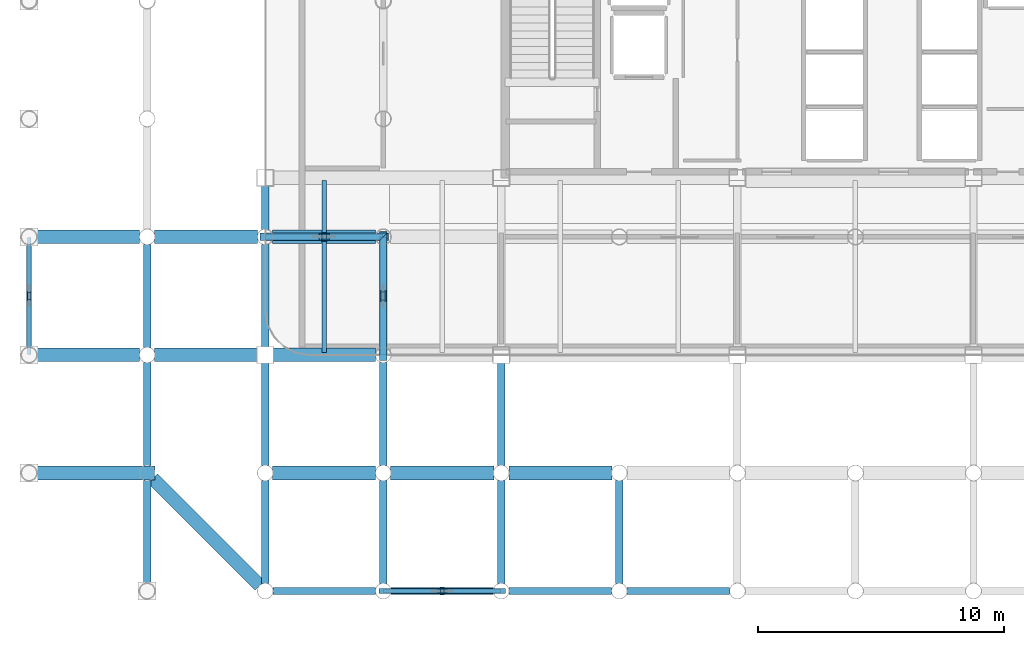
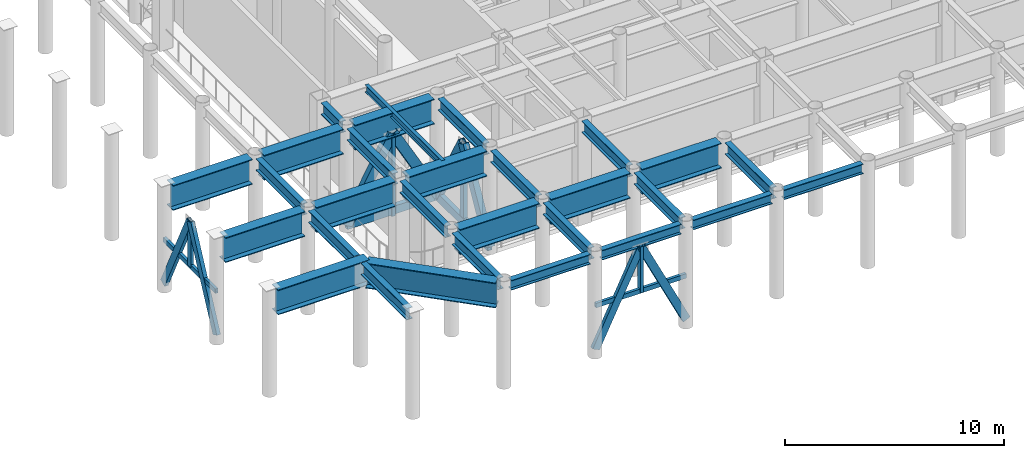
# One storey, part 5 of 20: 29 beams, 16 members.
"""IFC4 building model written with IfcOpenShell, lengths in metres."""

from ifc_helpers import new_model, si_unit, direction, frame, origin, origin_2d, place, context, subcontext, project, spatial, hollow_rectangle, i_section, extrude, material, material_profile, profile_set, type_object, element, save


model = new_model("IFC4")

# Units and contexts
model_context = context("Model", 3, precision=1e-05, world=origin(), true_north=direction((0.0, 1.0)))
body_context = subcontext(model_context, "Body", "Model", "MODEL_VIEW")
ifc_project = project(units=[si_unit("LENGTHUNIT", "METRE"), si_unit("AREAUNIT", "SQUARE_METRE"), si_unit("VOLUMEUNIT", "CUBIC_METRE"), si_unit("PLANEANGLEUNIT", "RADIAN"), si_unit("MASSUNIT", "GRAM", prefix="KILO")], contexts=[model_context])

# Site, building, storey
site_placement = place(None, origin())
site = spatial("IfcSite", under=ifc_project, at=site_placement, CompositionType="ELEMENT")
building_placement = place(site_placement, origin())
building = spatial("IfcBuilding", under=site, at=building_placement, Name="Kallvorn Hotel Tower", CompositionType="ELEMENT")
storey_placement = place(building_placement, frame((0.0, 0.0, 185.5)))
storey = spatial("IfcBuildingStorey", under=building, at=storey_placement, Name="L46", CompositionType="ELEMENT", Elevation=185.5)

# Beams
ifc_material_1 = material(Name="Structural steel S355JR", Category="steel")
ifc_material_profile_1 = material_profile(ifc_material_1, i_section(OverallWidth=0.300048828125, OverallDepth=0.550048828125, WebThickness=0.014892578125, FlangeThickness=0.029052734375, at=origin_2d()), Name="HE 550 B")
ifc_profile_set_1 = profile_set([ifc_material_profile_1], Name="Structural steel S355JR")
beam_type_1 = type_object("IfcBeamType", Name="BM_HE550B", PredefinedType="SPANDREL", material=ifc_profile_set_1)
for number, where, z_axis, x_axis, name in (
    (1, (-23.679931640625, -24.0, 5.544921875), (1.0, 0.0, 0.0), (0.0, 1.0, 0.0), "L47 Perimeter Spandrel 160"),
    (2, (-18.8798828125, -24.0, 5.544921875), (1.0, 0.0, 0.0), (0.0, 1.0, 0.0), "L47 Perimeter Spandrel 161"),
):
    element("IfcBeam", number, at=place(storey_placement, frame(where, z_axis=z_axis, x_axis=x_axis)), inside=storey, type_object=beam_type_1, Name=name, PredefinedType="SPANDREL", context=body_context, shape_type="SweptSolid", body=[
        extrude(i_section(OverallWidth=0.300048828125, OverallDepth=0.550048828125, WebThickness=0.014892578125, FlangeThickness=0.029052734375, at=origin_2d()), origin(), (0.0, 0.0, 1.0), 4.159912109375),
    ])
beam_1_placement = place(storey_placement, frame((-14.080078125, -24.0, 5.544921875), z_axis=(1.0, 0.0, 0.0), x_axis=(0.0, 1.0, 0.0)))
element("IfcBeam", 3, at=beam_1_placement, inside=storey, type_object=beam_type_1, Name="L47 Perimeter Spandrel 162", PredefinedType="SPANDREL", context=body_context, shape_type="SweptSolid", body=[
    extrude(i_section(OverallWidth=0.300048828125, OverallDepth=0.550048828125, WebThickness=0.014892578125, FlangeThickness=0.029052734375, at=origin_2d()), origin(), (0.0, 0.0, 1.0), 4.16015625),
])
beam_2_placement = place(storey_placement, frame((-9.280029296875, -24.0, 5.544921875), z_axis=(1.0, 0.0, 0.0), x_axis=(0.0, 1.0, 0.0)))
element("IfcBeam", 4, at=beam_2_placement, inside=storey, type_object=beam_type_1, Name="L47 Perimeter Spandrel 163", PredefinedType="SPANDREL", context=body_context, shape_type="SweptSolid", body=[
    extrude(i_section(OverallWidth=0.300048828125, OverallDepth=0.550048828125, WebThickness=0.014892578125, FlangeThickness=0.029052734375, at=origin_2d()), origin(), (0.0, 0.0, 1.0), 4.159912109375),
])
ifc_material_2 = material(Name="Structural steel S355JR", Category="steel")
ifc_material_profile_2 = material_profile(ifc_material_2, i_section(OverallWidth=0.300048828125, OverallDepth=0.64990234375, WebThickness=0.01611328125, FlangeThickness=0.031005859375, at=origin_2d()), Name="HE 650 B")
ifc_profile_set_2 = profile_set([ifc_material_profile_2], Name="Structural steel S355JR")
beam_type_2 = type_object("IfcBeamType", Name="BM_HE650B", PredefinedType="BEAM", material=ifc_profile_set_2)
beam_3_placement = place(storey_placement, frame((-28.800048828125, -23.695068359375, 5.4951171875), z_axis=(0.0, 1.0, 0.0), x_axis=(-1.0, 0.0, 0.0)))
element("IfcBeam", 5, at=beam_3_placement, inside=storey, type_object=beam_type_2, Name="L47 Primary Y-Girder 82", PredefinedType="BEAM", context=body_context, shape_type="SweptSolid", body=[
    extrude(i_section(OverallWidth=0.300048828125, OverallDepth=0.64990234375, WebThickness=0.01611328125, FlangeThickness=0.031005859375, at=origin_2d()), origin(), (0.0, 0.0, 1.0), 4.190185546875),
])
for number, where, z_axis, x_axis, name in (
    (6, (-28.800048828125, -18.89501953125, 5.4951171875), (0.0, 1.0, 0.0), (-1.0, 0.0, 0.0), "L47 Primary Y-Girder 83"),
    (7, (-28.800048828125, -14.094970703125, 5.4951171875), (0.0, 1.0, 0.0), (-1.0, 0.0, 0.0), "L47 Primary Y-Girder 84"),
):
    element("IfcBeam", number, at=place(storey_placement, frame(where, z_axis=z_axis, x_axis=x_axis)), inside=storey, type_object=beam_type_2, Name=name, PredefinedType="BEAM", context=body_context, shape_type="SweptSolid", body=[
        extrude(i_section(OverallWidth=0.300048828125, OverallDepth=0.64990234375, WebThickness=0.01611328125, FlangeThickness=0.031005859375, at=origin_2d()), origin(), (0.0, 0.0, 1.0), 4.18994140625),
    ])
beam_4_placement = place(storey_placement, frame((-24.0, -23.695068359375, 5.4951171875), z_axis=(0.0, 1.0, 0.0), x_axis=(-1.0, 0.0, 0.0)))
element("IfcBeam", 8, at=beam_4_placement, inside=storey, type_object=beam_type_2, Name="L47 Primary Y-Girder 91", PredefinedType="BEAM", context=body_context, shape_type="SweptSolid", body=[
    extrude(i_section(OverallWidth=0.300048828125, OverallDepth=0.64990234375, WebThickness=0.01611328125, FlangeThickness=0.031005859375, at=origin_2d()), origin(), (0.0, 0.0, 1.0), 4.190185546875),
])
for number, where, z_axis, x_axis, name in (
    (9, (-24.0, -18.89501953125, 5.4951171875), (0.0, 1.0, 0.0), (-1.0, 0.0, 0.0), "L47 Primary Y-Girder 92"),
    (10, (-24.0, -14.074951171875, 5.4951171875), (0.0, 1.0, 0.0), (-1.0, 0.0, 0.0), "L47 Primary Y-Girder 93"),
):
    element("IfcBeam", number, at=place(storey_placement, frame(where, z_axis=z_axis, x_axis=x_axis)), inside=storey, type_object=beam_type_2, Name=name, PredefinedType="BEAM", context=body_context, shape_type="SweptSolid", body=[
        extrude(i_section(OverallWidth=0.300048828125, OverallDepth=0.64990234375, WebThickness=0.01611328125, FlangeThickness=0.031005859375, at=origin_2d()), origin(), (0.0, 0.0, 1.0), 4.169921875),
    ])
beam_5_placement = place(storey_placement, frame((-24.0, -9.294921875, 5.4951171875), z_axis=(0.0, 1.0, 0.0), x_axis=(-1.0, 0.0, 0.0)))
element("IfcBeam", 11, at=beam_5_placement, inside=storey, type_object=beam_type_2, Name="L47 Primary Y-Girder 94", PredefinedType="BEAM", context=body_context, shape_type="SweptSolid", body=[
    extrude(i_section(OverallWidth=0.300048828125, OverallDepth=0.64990234375, WebThickness=0.01611328125, FlangeThickness=0.031005859375, at=origin_2d()), origin(), (0.0, 0.0, 1.0), 1.77001953125),
])
beam_6_placement = place(storey_placement, frame((-19.199951171875, -23.695068359375, 5.4951171875), z_axis=(0.0, 1.0, 0.0), x_axis=(-1.0, 0.0, 0.0)))
element("IfcBeam", 12, at=beam_6_placement, inside=storey, type_object=beam_type_2, Name="L47 Primary Y-Girder 98", PredefinedType="BEAM", context=body_context, shape_type="SweptSolid", body=[
    extrude(i_section(OverallWidth=0.300048828125, OverallDepth=0.64990234375, WebThickness=0.01611328125, FlangeThickness=0.031005859375, at=origin_2d()), origin(), (0.0, 0.0, 1.0), 4.190185546875),
])
for number, where, z_axis, x_axis, name in (
    (13, (-19.199951171875, -18.89501953125, 5.4951171875), (0.0, 1.0, 0.0), (-1.0, 0.0, 0.0), "L47 Primary Y-Girder 99"),
    (14, (-19.199951171875, -14.094970703125, 5.4951171875), (0.0, 1.0, 0.0), (-1.0, 0.0, 0.0), "L47 Primary Y-Girder 100"),
):
    element("IfcBeam", number, at=place(storey_placement, frame(where, z_axis=z_axis, x_axis=x_axis)), inside=storey, type_object=beam_type_2, Name=name, PredefinedType="BEAM", context=body_context, shape_type="SweptSolid", body=[
        extrude(i_section(OverallWidth=0.300048828125, OverallDepth=0.64990234375, WebThickness=0.01611328125, FlangeThickness=0.031005859375, at=origin_2d()), origin(), (0.0, 0.0, 1.0), 4.18994140625),
    ])
beam_7_placement = place(storey_placement, frame((-14.39990234375, -23.695068359375, 5.4951171875), z_axis=(0.0, 1.0, 0.0), x_axis=(-1.0, 0.0, 0.0)))
element("IfcBeam", 15, at=beam_7_placement, inside=storey, type_object=beam_type_2, Name="L47 Primary Y-Girder 107", PredefinedType="BEAM", context=body_context, shape_type="SweptSolid", body=[
    extrude(i_section(OverallWidth=0.300048828125, OverallDepth=0.64990234375, WebThickness=0.01611328125, FlangeThickness=0.031005859375, at=origin_2d()), origin(), (0.0, 0.0, 1.0), 4.190185546875),
])
beam_8_placement = place(storey_placement, frame((-14.39990234375, -18.89501953125, 5.4951171875), z_axis=(0.0, 1.0, 0.0), x_axis=(-1.0, 0.0, 0.0)))
element("IfcBeam", 16, at=beam_8_placement, inside=storey, type_object=beam_type_2, Name="L47 Primary Y-Girder 108", PredefinedType="BEAM", context=body_context, shape_type="SweptSolid", body=[
    extrude(i_section(OverallWidth=0.300048828125, OverallDepth=0.64990234375, WebThickness=0.01611328125, FlangeThickness=0.031005859375, at=origin_2d()), origin(), (0.0, 0.0, 1.0), 4.169921875),
])
beam_9_placement = place(storey_placement, frame((-9.60009765625, -23.695068359375, 5.4951171875), z_axis=(0.0, 1.0, 0.0), x_axis=(-1.0, 0.0, 0.0)))
element("IfcBeam", 17, at=beam_9_placement, inside=storey, type_object=beam_type_2, Name="L47 Primary Y-Girder 112", PredefinedType="BEAM", context=body_context, shape_type="SweptSolid", body=[
    extrude(i_section(OverallWidth=0.300048828125, OverallDepth=0.64990234375, WebThickness=0.01611328125, FlangeThickness=0.031005859375, at=origin_2d()), origin(), (0.0, 0.0, 1.0), 4.190185546875),
])
ifc_material_3 = material(Name="Structural steel S355JR", Category="steel")
ifc_material_profile_3 = material_profile(ifc_material_3, i_section(OverallWidth=0.179931640625, OverallDepth=0.39990234375, WebThickness=0.008544921875, FlangeThickness=0.013427734375, at=origin_2d()), Name="IPE 400")
ifc_profile_set_3 = profile_set([ifc_material_profile_3], Name="Structural steel S355JR")
beam_type_3 = type_object("IfcBeamType", Name="BM_IPE400", PredefinedType="JOIST", material=ifc_profile_set_3)
beam_10_placement = place(storey_placement, frame((-21.60009765625, -14.300048828125, 5.6201171875), z_axis=(0.0, 1.0, 0.0), x_axis=(-1.0, 0.0, 0.0)))
element("IfcBeam", 18, at=beam_10_placement, inside=storey, type_object=beam_type_3, Name="L47 Secondary Composite Joist 201", PredefinedType="JOIST", context=body_context, shape_type="SweptSolid", body=[
    extrude(i_section(OverallWidth=0.179931640625, OverallDepth=0.39990234375, WebThickness=0.008544921875, FlangeThickness=0.013427734375, at=origin_2d()), origin(), (0.0, 0.0, 1.0), 7.0),
])
ifc_material_4 = material(Name="Structural steel S355JR", Category="steel")
ifc_material_profile_4 = material_profile(ifc_material_4, i_section(OverallWidth=0.550048828125, OverallDepth=1.39990234375, WebThickness=0.02490234375, FlangeThickness=0.044921875, at=origin_2d()), Name="PG 1400x550x25x45")
ifc_profile_set_4 = profile_set([ifc_material_profile_4], Name="Structural steel S355JR")
beam_type_4 = type_object("IfcBeamType", Name="BM_PG_1400", PredefinedType="BEAM", material=ifc_profile_set_4)
beam_11_placement = place(storey_placement, frame((-33.294921875, -19.199951171875, 5.1201171875), z_axis=(1.0, 0.0, 0.0), x_axis=(0.0, 1.0, 0.0)))
element("IfcBeam", 19, at=beam_11_placement, inside=storey, type_object=beam_type_4, Name="L47 Primary X-Girder 10", PredefinedType="BEAM", context=body_context, shape_type="SweptSolid", body=[
    extrude(i_section(OverallWidth=0.550048828125, OverallDepth=1.39990234375, WebThickness=0.02490234375, FlangeThickness=0.044921875, at=origin_2d()), origin(), (0.0, 0.0, 1.0), 4.81494140625),
])
beam_12_placement = place(storey_placement, frame((-23.695068359375, -19.199951171875, 5.1201171875), z_axis=(1.0, 0.0, 0.0), x_axis=(0.0, 1.0, 0.0)))
element("IfcBeam", 20, at=beam_12_placement, inside=storey, type_object=beam_type_4, Name="L47 Primary X-Girder 12", PredefinedType="BEAM", context=body_context, shape_type="SweptSolid", body=[
    extrude(i_section(OverallWidth=0.550048828125, OverallDepth=1.39990234375, WebThickness=0.02490234375, FlangeThickness=0.044921875, at=origin_2d()), origin(), (0.0, 0.0, 1.0), 4.190185546875),
])
for number, where, z_axis, x_axis, name in (
    (21, (-18.89501953125, -19.199951171875, 5.1201171875), (1.0, 0.0, 0.0), (0.0, 1.0, 0.0), "L47 Primary X-Girder 13"),
    (22, (-14.094970703125, -19.199951171875, 5.1201171875), (1.0, 0.0, 0.0), (0.0, 1.0, 0.0), "L47 Primary X-Girder 14"),
    (23, (-33.294921875, -14.39990234375, 5.1201171875), (1.0, 0.0, 0.0), (0.0, 1.0, 0.0), "L47 Primary X-Girder 23"),
):
    element("IfcBeam", number, at=place(storey_placement, frame(where, z_axis=z_axis, x_axis=x_axis)), inside=storey, type_object=beam_type_4, Name=name, PredefinedType="BEAM", context=body_context, shape_type="SweptSolid", body=[
        extrude(i_section(OverallWidth=0.550048828125, OverallDepth=1.39990234375, WebThickness=0.02490234375, FlangeThickness=0.044921875, at=origin_2d()), origin(), (0.0, 0.0, 1.0), 4.18994140625),
    ])
for number, where, z_axis, x_axis, name in (
    (24, (-28.4951171875, -14.39990234375, 5.1201171875), (1.0, 0.0, 0.0), (0.0, 1.0, 0.0), "L47 Primary X-Girder 24"),
    (25, (-23.675048828125, -14.39990234375, 5.1201171875), (1.0, 0.0, 0.0), (0.0, 1.0, 0.0), "L47 Primary X-Girder 25"),
):
    element("IfcBeam", number, at=place(storey_placement, frame(where, z_axis=z_axis, x_axis=x_axis)), inside=storey, type_object=beam_type_4, Name=name, PredefinedType="BEAM", context=body_context, shape_type="SweptSolid", body=[
        extrude(i_section(OverallWidth=0.550048828125, OverallDepth=1.39990234375, WebThickness=0.02490234375, FlangeThickness=0.044921875, at=origin_2d()), origin(), (0.0, 0.0, 1.0), 4.170166015625),
    ])
beam_13_placement = place(storey_placement, frame((-33.294921875, -9.60009765625, 5.1201171875), z_axis=(1.0, 0.0, 0.0), x_axis=(0.0, 1.0, 0.0)))
element("IfcBeam", 26, at=beam_13_placement, inside=storey, type_object=beam_type_4, Name="L47 Primary X-Girder 33", PredefinedType="BEAM", context=body_context, shape_type="SweptSolid", body=[
    extrude(i_section(OverallWidth=0.550048828125, OverallDepth=1.39990234375, WebThickness=0.02490234375, FlangeThickness=0.044921875, at=origin_2d()), origin(), (0.0, 0.0, 1.0), 4.18994140625),
])
for number, where, z_axis, x_axis, name in (
    (27, (-28.4951171875, -9.60009765625, 5.1201171875), (1.0, 0.0, 0.0), (0.0, 1.0, 0.0), "L47 Primary X-Girder 34"),
    (28, (-23.695068359375, -9.60009765625, 5.1201171875), (1.0, 0.0, 0.0), (0.0, 1.0, 0.0), "L47 Primary X-Girder 35"),
):
    element("IfcBeam", number, at=place(storey_placement, frame(where, z_axis=z_axis, x_axis=x_axis)), inside=storey, type_object=beam_type_4, Name=name, PredefinedType="BEAM", context=body_context, shape_type="SweptSolid", body=[
        extrude(i_section(OverallWidth=0.550048828125, OverallDepth=1.39990234375, WebThickness=0.02490234375, FlangeThickness=0.044921875, at=origin_2d()), origin(), (0.0, 0.0, 1.0), 4.190185546875),
    ])
beam_14_placement = place(storey_placement, frame((-28.57373046875, -19.42626953125, 5.1201171875), z_axis=(0.707106781187, -0.707106781187, 0.0), x_axis=(0.707106781187, 0.707106781187, 0.0)))
element("IfcBeam", 29, at=beam_14_placement, inside=storey, type_object=beam_type_4, Name="L47 Rounded Corner Tie Beam 198", PredefinedType="BEAM", context=body_context, shape_type="SweptSolid", body=[
    extrude(i_section(OverallWidth=0.550048828125, OverallDepth=1.39990234375, WebThickness=0.02490234375, FlangeThickness=0.044921875, at=origin_2d()), origin(), (0.0, 0.0, 1.0), 6.148193359375),
])

# Members
ifc_material_5 = material(Name="Structural steel S355J2H", Category="steel")
ifc_material_profile_5 = material_profile(ifc_material_5, hollow_rectangle(XDim=0.199951171875, YDim=0.39990234375, WallThickness=0.02001953125, at=origin_2d()), Name="RHS 400x200x20")
ifc_profile_set_5 = profile_set([ifc_material_profile_5], Name="Structural steel S355J2H")
member_type_1 = type_object("IfcMemberType", Name="MBR_BELT_RHS400", PredefinedType="BRACE", material=ifc_profile_set_5)
member_1_placement = place(storey_placement, frame((-19.191162109375, -24.0, 0.367919921875), z_axis=(0.439131031257, 0.0, 0.898423028081), x_axis=(0.0, 1.0, 0.0)))
element("IfcMember", 30, at=member_1_placement, inside=storey, type_object=member_type_1, Name="L46 Belt Truss Diagonal 1A", PredefinedType="BRACE", context=body_context, shape_type="SweptSolid", body=[
    extrude(hollow_rectangle(XDim=0.199951171875, YDim=0.39990234375, WallThickness=0.02001953125, at=origin_2d()), origin(), (0.0, 0.0, 1.0), 5.425048828125),
])
member_2_placement = place(storey_placement, frame((-14.40869140625, -24.0, 0.367919921875), z_axis=(-0.439167354297, 0.0, 0.898405273203), x_axis=(0.0, -1.0, 0.0)))
element("IfcMember", 31, at=member_2_placement, inside=storey, type_object=member_type_1, Name="L46 Belt Truss Diagonal 1B", PredefinedType="BRACE", context=body_context, shape_type="SweptSolid", body=[
    extrude(hollow_rectangle(XDim=0.199951171875, YDim=0.39990234375, WallThickness=0.02001953125, at=origin_2d()), origin(), (0.0, 0.0, 1.0), 5.42529296875),
])
for number, where, z_axis, x_axis, name in (
    (32, (-33.60009765625, -14.39111328125, 0.367919921875), (0.0, 0.439131031257, 0.898423028081), (-1.0, 0.0, 0.0), "L46 Belt Truss Diagonal 5A"),
    (33, (-33.60009765625, -9.60888671875, 0.367919921875), (0.0, -0.439131031257, 0.898423028081), (1.0, 0.0, 0.0), "L46 Belt Truss Diagonal 5B"),
):
    element("IfcMember", number, at=place(storey_placement, frame(where, z_axis=z_axis, x_axis=x_axis)), inside=storey, type_object=member_type_1, Name=name, PredefinedType="BRACE", context=body_context, shape_type="SweptSolid", body=[
        extrude(hollow_rectangle(XDim=0.199951171875, YDim=0.39990234375, WallThickness=0.02001953125, at=origin_2d()), origin(), (0.0, 0.0, 1.0), 5.425048828125),
    ])
ifc_material_6 = material(Name="Structural steel S355J2H", Category="steel")
ifc_material_profile_6 = material_profile(ifc_material_6, hollow_rectangle(XDim=0.25, YDim=0.449951171875, WallThickness=0.02197265625, at=origin_2d()), Name="RHS 450x250x22")
ifc_profile_set_6 = profile_set([ifc_material_profile_6], Name="Structural steel S355J2H")
member_type_2 = type_object("IfcMemberType", Name="MBR_CHORD_RHS450", PredefinedType="CHORD", material=ifc_profile_set_6)
member_3_placement = place(storey_placement, frame((-24.0, -9.60009765625, 0.239990234375), z_axis=(1.0, 0.0, 0.0), x_axis=(0.0, 1.0, 0.0)))
element("IfcMember", 34, at=member_3_placement, inside=storey, type_object=member_type_2, Name="L46 Outrigger Truss Bottom Chord OTW1", PredefinedType="CHORD", context=body_context, shape_type="SweptSolid", body=[
    extrude(hollow_rectangle(XDim=0.25, YDim=0.449951171875, WallThickness=0.02197265625, at=origin_2d()), origin(), (0.0, 0.0, 1.0), 4.800048828125),
])
member_4_placement = place(storey_placement, frame((-19.199951171875, -14.39990234375, 0.239990234375), z_axis=(0.0, 1.0, 0.0), x_axis=(-1.0, 0.0, 0.0)))
element("IfcMember", 35, at=member_4_placement, inside=storey, type_object=member_type_2, Name="L46 Outrigger Truss Bottom Chord OTS1", PredefinedType="CHORD", context=body_context, shape_type="SweptSolid", body=[
    extrude(hollow_rectangle(XDim=0.25, YDim=0.449951171875, WallThickness=0.02197265625, at=origin_2d()), origin(), (0.0, 0.0, 1.0), 4.7998046875),
])
ifc_material_7 = material(Name="Structural steel S355J2H", Category="steel")
ifc_material_profile_7 = material_profile(ifc_material_7, hollow_rectangle(XDim=0.14990234375, YDim=0.25, WallThickness=0.010009765625, at=origin_2d()), Name="RHS 250x150x10")
ifc_profile_set_7 = profile_set([ifc_material_profile_7], Name="Structural steel S355J2H")
member_type_3 = type_object("IfcMemberType", Name="MBR_COLLAR_RHS250", PredefinedType="COLLAR", material=ifc_profile_set_7)
member_5_placement = place(storey_placement, frame((-19.179931640625, -24.0, 2.784912109375), z_axis=(1.0, 0.0, 0.0), x_axis=(0.0, 1.0, 0.0)))
element("IfcMember", 36, at=member_5_placement, inside=storey, type_object=member_type_3, Name="L46 Belt Truss Tie Collar 1", PredefinedType="COLLAR", context=body_context, shape_type="SweptSolid", body=[
    extrude(hollow_rectangle(XDim=0.14990234375, YDim=0.25, WallThickness=0.010009765625, at=origin_2d()), origin(), (0.0, 0.0, 1.0), 4.760009765625),
])
member_6_placement = place(storey_placement, frame((-33.60009765625, -14.3798828125, 2.784912109375), z_axis=(0.0, 1.0, 0.0), x_axis=(-1.0, 0.0, 0.0)))
element("IfcMember", 37, at=member_6_placement, inside=storey, type_object=member_type_3, Name="L46 Belt Truss Tie Collar 5", PredefinedType="COLLAR", context=body_context, shape_type="SweptSolid", body=[
    extrude(hollow_rectangle(XDim=0.14990234375, YDim=0.25, WallThickness=0.010009765625, at=origin_2d()), origin(), (0.0, 0.0, 1.0), 4.759765625),
])
ifc_material_8 = material(Name="Structural steel S355J2H", Category="steel")
ifc_material_profile_8 = material_profile(ifc_material_8, hollow_rectangle(XDim=0.300048828125, YDim=0.5, WallThickness=0.02490234375, at=origin_2d()), Name="RHS 500x300x25")
ifc_profile_set_8 = profile_set([ifc_material_profile_8], Name="Structural steel S355J2H")
member_type_4 = type_object("IfcMemberType", Name="MBR_OUTRIGGER_RHS500", PredefinedType="BRACE", material=ifc_profile_set_8)
member_7_placement = place(storey_placement, frame((-24.0, -9.60009765625, 0.239990234375), z_axis=(0.485621958479, 0.0, 0.874168927292), x_axis=(0.0, 1.0, 0.0)))
element("IfcMember", 38, at=member_7_placement, inside=storey, type_object=member_type_4, Name="L46 Outrigger Truss Diagonal OTW1A", PredefinedType="BRACE", context=body_context, shape_type="SweptSolid", body=[
    extrude(hollow_rectangle(XDim=0.300048828125, YDim=0.5, WallThickness=0.02490234375, at=origin_2d()), origin(), (0.0, 0.0, 1.0), 4.94189453125),
])
member_8_placement = place(storey_placement, frame((-19.199951171875, -9.60009765625, 0.239990234375), z_axis=(-0.485659708735, 0.0, 0.874147955046), x_axis=(0.0, -1.0, 0.0)))
element("IfcMember", 39, at=member_8_placement, inside=storey, type_object=member_type_4, Name="L46 Outrigger Truss Diagonal OTW1B", PredefinedType="BRACE", context=body_context, shape_type="SweptSolid", body=[
    extrude(hollow_rectangle(XDim=0.300048828125, YDim=0.5, WallThickness=0.02490234375, at=origin_2d()), origin(), (0.0, 0.0, 1.0), 4.942138671875),
])
for number, where, z_axis, x_axis, name in (
    (40, (-19.199951171875, -14.39990234375, 0.239990234375), (0.0, 0.485621958479, 0.874168927292), (-1.0, 0.0, 0.0), "L46 Outrigger Truss Diagonal OTS1A"),
    (41, (-19.199951171875, -9.60009765625, 0.239990234375), (0.0, -0.485621958479, 0.874168927292), (1.0, 0.0, 0.0), "L46 Outrigger Truss Diagonal OTS1B"),
):
    element("IfcMember", number, at=place(storey_placement, frame(where, z_axis=z_axis, x_axis=x_axis)), inside=storey, type_object=member_type_4, Name=name, PredefinedType="BRACE", context=body_context, shape_type="SweptSolid", body=[
        extrude(hollow_rectangle(XDim=0.300048828125, YDim=0.5, WallThickness=0.02490234375, at=origin_2d()), origin(), (0.0, 0.0, 1.0), 4.94189453125),
    ])
ifc_material_9 = material(Name="Structural steel S355J2H", Category="steel")
ifc_material_profile_9 = material_profile(ifc_material_9, hollow_rectangle(XDim=0.199951171875, YDim=0.35009765625, WallThickness=0.01611328125, at=origin_2d()), Name="RHS 350x200x16")
ifc_profile_set_9 = profile_set([ifc_material_profile_9], Name="Structural steel S355J2H")
member_type_5 = type_object("IfcMemberType", Name="MBR_POST_RHS350", PredefinedType="POST", material=ifc_profile_set_9)
for number, where, z_axis, x_axis, name in (
    (42, (-21.60009765625, -9.60009765625, -0.0400390625), (0.0, 0.0, 1.0), (1.0, 0.0, 0.0), "L46 Outrigger Truss Post OTW1"),
    (43, (-19.199951171875, -12.0, -0.0400390625), (0.0, 0.0, 1.0), (1.0, 0.0, 0.0), "L46 Outrigger Truss Post OTS1"),
):
    element("IfcMember", number, at=place(storey_placement, frame(where, z_axis=z_axis, x_axis=x_axis)), inside=storey, type_object=member_type_5, Name=name, PredefinedType="POST", context=body_context, shape_type="SweptSolid", body=[
        extrude(hollow_rectangle(XDim=0.199951171875, YDim=0.35009765625, WallThickness=0.01611328125, at=origin_2d()), origin(), (0.0, 0.0, 1.0), 4.5400390625),
    ])
ifc_material_10 = material(Name="Structural steel S355J2H", Category="steel")
ifc_material_profile_10 = material_profile(ifc_material_10, hollow_rectangle(XDim=0.14990234375, YDim=0.300048828125, WallThickness=0.012451171875, at=origin_2d()), Name="RHS 300x150x12.5")
ifc_profile_set_10 = profile_set([ifc_material_profile_10], Name="Structural steel S355J2H")
member_type_6 = type_object("IfcMemberType", Name="MBR_STRUT_RHS300", PredefinedType="STRUT", material=ifc_profile_set_10)
for number, where, z_axis, x_axis, name in (
    (44, (-16.800048828125, -24.0, 2.735107421875), (0.0, 0.0, 1.0), (1.0, 0.0, 0.0), "L46 Belt Truss Strut 1"),
    (45, (-33.60009765625, -12.0, 2.735107421875), (0.0, 0.0, 1.0), (1.0, 0.0, 0.0), "L46 Belt Truss Strut 5"),
):
    element("IfcMember", number, at=place(storey_placement, frame(where, z_axis=z_axis, x_axis=x_axis)), inside=storey, type_object=member_type_6, Name=name, PredefinedType="STRUT", context=body_context, shape_type="SweptSolid", body=[
        extrude(hollow_rectangle(XDim=0.14990234375, YDim=0.300048828125, WallThickness=0.012451171875, at=origin_2d()), origin(), (0.0, 0.0, 1.0), 2.56494140625),
    ])

save(model, "model.ifc")
